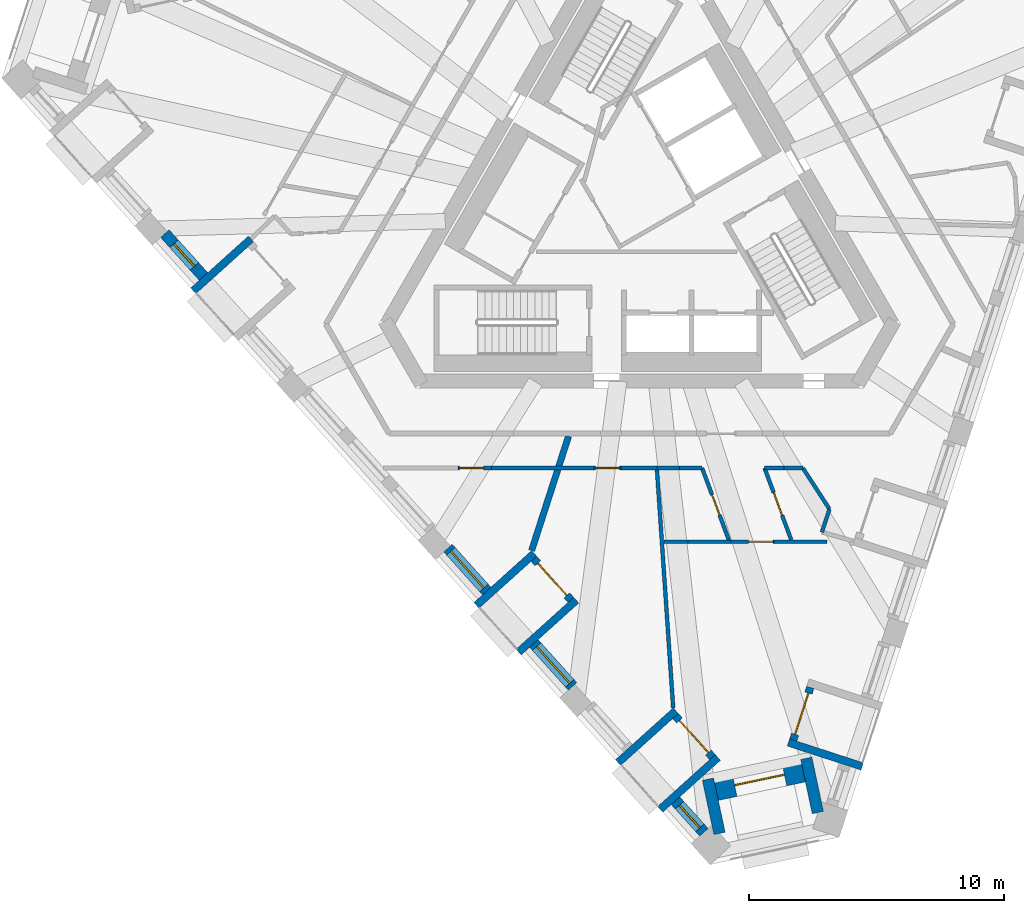
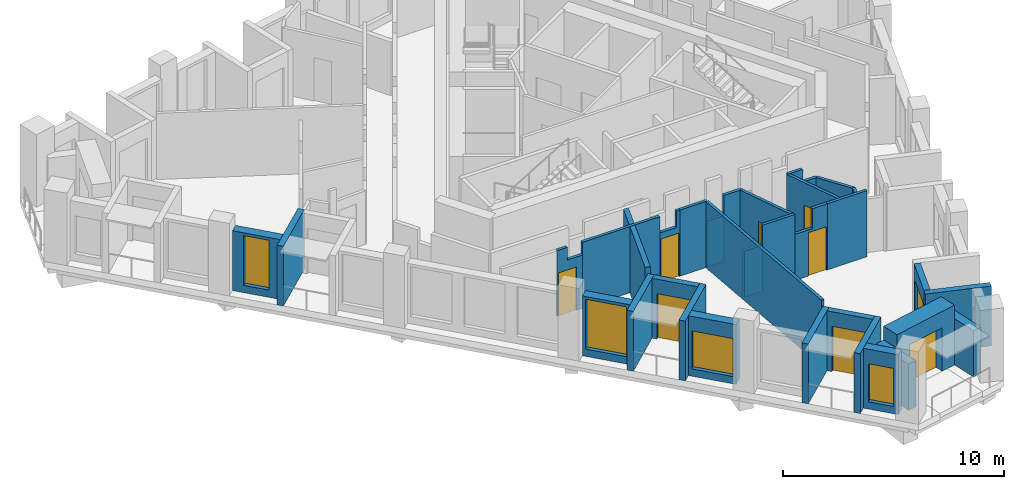
# One storey, part 2 of 12: 34 walls, 9 doors, 4 windows, 13 openings.
"""IFC4 building model written with IfcOpenShell, lengths in metres."""

import ifcopenshell
import ifcopenshell.guid

model = None  # the IFC model being written
_history = None  # IfcOwnerHistory: only IFC2X3 demands one
_inside = {}  # id of a spatial element -> (the spatial element, [elements in it])
_under = {}  # id of a project, library or spatial element -> (it, [spatial elements below it])
_declared = {}  # id of a project -> (the project, [libraries it declares])
_typed = {}  # id of a type object -> (the type object, [elements of that type])
_made_of = {}  # id of a material, layer set ... -> (it, [elements and type objects made of it])


def new_model(schema):
    """Start an empty IFC model of exactly this schema.

    Asked for "IFC4X3", IfcOpenShell would pick the latest addendum, in which some entities
    have other attributes; the version numbers below select the first issue.
    IFC2X3 requires an IfcOwnerHistory on every rooted entity: one is made here for all.
    """
    global model, _history
    if schema == "IFC4X3":
        model = ifcopenshell.file(schema_version=(4, 3, 0, 0))
    else:
        model = ifcopenshell.file(schema=schema)
    _inside.clear()
    _under.clear()
    _declared.clear()
    _typed.clear()
    _made_of.clear()
    _history = None
    if model.schema == "IFC2X3":
        org = make("IfcOrganization", Name="unknown")
        user = make(
            "IfcPersonAndOrganization",
            ThePerson=make("IfcPerson", FamilyName="unknown"),
            TheOrganization=org,
        )
        app = make(
            "IfcApplication",
            ApplicationDeveloper=org,
            Version="unknown",
            ApplicationFullName="unknown",
            ApplicationIdentifier="unknown",
        )
        _history = make(
            "IfcOwnerHistory",
            OwningUser=user,
            OwningApplication=app,
            ChangeAction="ADDED",
            CreationDate=0,
        )
    return model


def make(cls, **values):
    """One entity of the class cls with the attributes given. An attribute that is None is left unset."""
    return model.create_entity(
        cls, **{name: value for name, value in values.items() if value is not None}
    )


def rooted(cls, **values):
    """An entity with a GlobalId (a new one), such as an element, a storey or a relation."""
    return make(cls, GlobalId=ifcopenshell.guid.new(), OwnerHistory=_history, **values)


def si_unit(unit_type, name, prefix=None):
    """IfcSIUnit, for example si_unit("LENGTHUNIT", "METRE", prefix="MILLI")."""
    return make("IfcSIUnit", UnitType=unit_type, Prefix=prefix, Name=name)


def assignment(units):
    """IfcUnitAssignment: the units of a project."""
    return None if units is None else make("IfcUnitAssignment", Units=units)


def point(xyz):
    """IfcCartesianPoint."""
    return None if xyz is None else make("IfcCartesianPoint", Coordinates=xyz)


def direction(xyz):
    """IfcDirection."""
    return None if xyz is None else make("IfcDirection", DirectionRatios=xyz)


def frame(location, z_axis=None, x_axis=None):
    """IfcAxis2Placement3D, a coordinate frame: its origin and axes. An axis left out is left unset."""
    return make(
        "IfcAxis2Placement3D",
        Location=point(location),
        Axis=direction(z_axis),
        RefDirection=direction(x_axis),
    )


def frame_2d(location, x_axis=None):
    """IfcAxis2Placement2D, a coordinate frame in the plane: its origin and x axis."""
    return make(
        "IfcAxis2Placement2D", Location=point(location), RefDirection=direction(x_axis)
    )


def origin():
    """The frame at (0, 0, 0) with its axes left unset."""
    return frame((0.0, 0.0, 0.0))


def place(relative_to, where):
    """IfcLocalPlacement: puts the frame where relative to a parent placement (None: the world)."""
    return make(
        "IfcLocalPlacement", PlacementRelTo=relative_to, RelativePlacement=where
    )


def context(
    kind, dimensions, precision=None, world=None, true_north=None, identifier=None
):
    """IfcGeometricRepresentationContext, for example the 3D "Model" context."""
    return make(
        "IfcGeometricRepresentationContext",
        ContextIdentifier=identifier,
        ContextType=kind,
        CoordinateSpaceDimension=dimensions,
        Precision=precision,
        WorldCoordinateSystem=world,
        TrueNorth=true_north,
    )


def subcontext(parent, identifier, kind, view, scale=None):
    """IfcGeometricRepresentationSubContext, for example "Body" below "Model"."""
    return make(
        "IfcGeometricRepresentationSubContext",
        ContextIdentifier=identifier,
        ContextType=kind,
        ParentContext=parent,
        TargetScale=scale,
        TargetView=view,
    )


def project(units=None, contexts=None):
    """IfcProject with its units and contexts."""
    return rooted(
        "IfcProject",
        Name="project",
        RepresentationContexts=contexts,
        UnitsInContext=assignment(units),
    )


def spatial(cls, under=None, at=None, **own):
    """A site, building, storey or space (cls), placed at a placement, below another one or the project."""
    s = rooted(cls, ObjectPlacement=at, **own)
    if under is not None:
        _under.setdefault(under.id(), (under, []))[1].append(s)
    return s


def polyline(points):
    """IfcPolyline through the points."""
    return make("IfcPolyline", Points=[point(p) for p in points])


def profile(cls, at=None, kind="AREA", **sizes):
    """A parametric profile (cls). Its sizes go by their IFC names, for example OverallWidth=200.0."""
    return make(cls, ProfileType=kind, Position=at, **sizes)


def rectangle(**sizes):
    """IfcRectangleProfileDef."""
    return profile("IfcRectangleProfileDef", **sizes)


def outline(outer, holes=None, kind="AREA"):
    """IfcArbitraryClosedProfileDef: a profile drawn as a closed curve; with holes, ...WithVoids."""
    if holes is None:
        return make("IfcArbitraryClosedProfileDef", ProfileType=kind, OuterCurve=outer)
    return make(
        "IfcArbitraryProfileDefWithVoids",
        ProfileType=kind,
        OuterCurve=outer,
        InnerCurves=holes,
    )


def extrude(swept, where, along, depth):
    """IfcExtrudedAreaSolid: the profile swept, set in the frame where, extruded along a direction by depth."""
    return make(
        "IfcExtrudedAreaSolid",
        SweptArea=swept,
        Position=where,
        ExtrudedDirection=direction(along),
        Depth=depth,
    )


def shape(context_of_items, identifier, shape_type, items):
    """IfcShapeRepresentation: the items that make up one representation, for example the "Body"."""
    return make(
        "IfcShapeRepresentation",
        ContextOfItems=context_of_items,
        RepresentationIdentifier=identifier,
        RepresentationType=shape_type,
        Items=items,
    )


def material(Name=None, Category=None):
    """IfcMaterial."""
    return make("IfcMaterial", Name=Name, Category=Category)


def layer(
    of_material, thickness, ventilated=None, Name=None, Category=None, Priority=None
):
    """IfcMaterialLayer: one layer of a wall or slab, of a material (None: an air gap)."""
    return make(
        "IfcMaterialLayer",
        Material=of_material,
        LayerThickness=thickness,
        IsVentilated=ventilated,
        Name=Name,
        Category=Category,
        Priority=Priority,
    )


def layer_set(layers, Name=None):
    """IfcMaterialLayerSet."""
    return make("IfcMaterialLayerSet", MaterialLayers=layers, LayerSetName=Name)


def made_of(thing, what):
    """Note that an element or type object is made of a material, layer set ...; save() writes the relation."""
    if what is not None:
        _made_of.setdefault(what.id(), (what, []))[1].append(thing)
    return thing


def type_object(cls, material=None, **own):
    """A type object (cls), such as IfcWallType, which elements share."""
    return made_of(rooted(cls, **own), material)


def element(
    cls,
    number,
    at=None,
    inside=None,
    cuts=None,
    type_object=None,
    material=None,
    context=None,
    identifier="Body",
    shape_type=None,
    held_by="IfcProductDefinitionShape",
    body=None,
    shapes=None,
    **own,
):
    """One element of the class cls, such as IfcWall. Its Tag is "e" and its number.

    at: its placement. inside: the storey or other place that contains it. cuts: it is an
    opening in that element (IfcRelVoidsElement). A single representation is given by context,
    identifier, shape_type and body (its items); several are given by shapes. held_by: the class
    of the entity that holds the representations. save() writes the other relations.
    """
    e = rooted(cls, Tag="e%d" % number, ObjectPlacement=at, **own)
    if body is not None:
        shapes = [shape(context, identifier, shape_type, body)]
    if shapes is not None:
        e.Representation = make(held_by, Representations=shapes)
    if inside is not None:
        _inside.setdefault(inside.id(), (inside, []))[1].append(e)
    if cuts is not None:
        rooted(
            "IfcRelVoidsElement", RelatingBuildingElement=cuts, RelatedOpeningElement=e
        )
    if type_object is not None:
        _typed.setdefault(type_object.id(), (type_object, []))[1].append(e)
    return made_of(e, material)


def fill(opening, filler):
    """IfcRelFillsElement: the door or window that sits in an opening."""
    return rooted(
        "IfcRelFillsElement",
        RelatingOpeningElement=opening,
        RelatedBuildingElement=filler,
    )


def aggregate(whole, parts):
    """IfcRelAggregates: a whole, such as a stair, and the parts it consists of."""
    return rooted("IfcRelAggregates", RelatingObject=whole, RelatedObjects=parts)


def save(model, path):
    """Write the relations noted so far, then the file.

    IfcRelAggregates (storeys below a building ...), IfcRelContainedInSpatialStructure (elements
    in a storey), IfcRelDefinesByType, IfcRelAssociatesMaterial and IfcRelDeclares: one each for
    every whole, place, type object, material and project.
    """
    for whole, parts in _under.values():
        aggregate(whole, parts)
    for where, things in _inside.values():
        rooted(
            "IfcRelContainedInSpatialStructure",
            RelatedElements=things,
            RelatingStructure=where,
        )
    for kind, things in _typed.values():
        rooted("IfcRelDefinesByType", RelatedObjects=things, RelatingType=kind)
    for what, things in _made_of.values():
        rooted("IfcRelAssociatesMaterial", RelatedObjects=things, RelatingMaterial=what)
    for by, libraries in _declared.values():
        rooted("IfcRelDeclares", RelatingContext=by, RelatedDefinitions=libraries)
    model.write(path)


model = new_model("IFC4")

# Units and contexts
model_context = context("Model", 3, precision=1e-05, world=origin(), true_north=direction((0.0, 1.0)))
body_context = subcontext(model_context, "Body", "Model", "MODEL_VIEW")
ifc_project = project(units=[si_unit("LENGTHUNIT", "METRE"), si_unit("AREAUNIT", "SQUARE_METRE"), si_unit("VOLUMEUNIT", "CUBIC_METRE"), si_unit("PLANEANGLEUNIT", "RADIAN"), si_unit("MASSUNIT", "GRAM", prefix="KILO")], contexts=[model_context])

# Site, building, storey
site_placement = place(None, origin())
site = spatial("IfcSite", under=ifc_project, at=site_placement, CompositionType="ELEMENT")
building_placement = place(site_placement, origin())
building = spatial("IfcBuilding", under=site, at=building_placement, Name="Tramontana Tower", CompositionType="ELEMENT")
storey_placement = place(building_placement, frame((0.0, 0.0, 332.39990234375)))
storey = spatial("IfcBuildingStorey", under=building, at=storey_placement, Name="L76", CompositionType="ELEMENT", Elevation=332.39990234375)

# Wall, opening, window
ifc_material_1 = material(Name="Precast concrete 60 MPa", Category="concrete")
ifc_layer_1 = layer(ifc_material_1, 0.449951171875)
ifc_layer_set_1 = layer_set([ifc_layer_1], Name="Precast concrete 60 MPa, 450 mm")
wall_type_1 = type_object("IfcWallType", Name="EW1 Stone-faced precast wall 450", PredefinedType="SOLIDWALL", material=ifc_layer_set_1)
wall_1_placement = place(storey_placement, frame((-18.655517578125, -0.689208984375, 0.0), z_axis=(0.0, 0.0, 1.0), x_axis=(0.669107243666, -0.743165860676, 0.0)))
wall_1 = element("IfcWall", 1, at=wall_1_placement, inside=storey, type_object=wall_type_1, Name="External wall L76 face 0 bay 2", PredefinedType="SOLIDWALL", context=body_context, shape_type="SweptSolid", body=[
    extrude(rectangle(XDim=2.271240234375, YDim=0.449951171875, at=frame_2d((1.1357421875, 0.0))), origin(), (0.0, 0.0, 1.0), 3.300048828125),
])
opening_1_placement = place(wall_1_placement, frame((0.53564453125, 0.0, 0.39990234375)))
opening_1 = element("IfcOpeningElement", 2, at=opening_1_placement, cuts=wall_1, Name="Opening N3", PredefinedType="OPENING", context=body_context, shape_type="SweptSolid", body=[
    extrude(rectangle(XDim=1.199951171875, YDim=2.75, at=frame_2d((0.60009765625, 1.375))), frame((0.0, 0.23486328125, 0.0), z_axis=(0.0, -1.0, 0.0), x_axis=(1.0, 0.0, 0.0)), (0.0, 0.0, 1.0), 0.469970703125),
])
ifc_material_2 = material(Name="Aluminum frame, double glazing unit", Category="aluminium")
window_type_1 = type_object("IfcWindowType", Name="N3 Window 1.2 x 2.75", PartitioningType="SINGLE_PANEL", PredefinedType="WINDOW", material=ifc_material_2)
window_1_placement = place(opening_1_placement, origin())
window_1 = element("IfcWindow", 3, at=window_1_placement, inside=storey, type_object=window_type_1, Name="Window N3 L76 face 0 module 4", OverallHeight=2.75, OverallWidth=1.199951171875, PartitioningType="SINGLE_PANEL", PredefinedType="WINDOW", context=body_context, shape_type="SweptSolid", body=[
    extrude(rectangle(XDim=1.199951171875, YDim=2.75, at=frame_2d((0.60009765625, 1.375))), frame((0.0, 0.030029296875, 0.0), z_axis=(0.0, -1.0, 0.0), x_axis=(1.0, 0.0, 0.0)), (0.0, 0.0, 1.0), 0.06005859375),
])
fill(opening_1, window_1)

wall_2_placement = place(storey_placement, frame((-7.529541015625, -13.046142578125, 0.0), z_axis=(0.0, 0.0, 1.0), x_axis=(0.669160694992, -0.743117732447, 0.0)))
wall_2 = element("IfcWall", 4, at=wall_2_placement, inside=storey, type_object=wall_type_1, Name="External wall L76 face 0 bay 4", PredefinedType="SOLIDWALL", context=body_context, shape_type="SweptSolid", body=[
    extrude(rectangle(XDim=2.271240234375, YDim=0.449951171875, at=frame_2d((1.1357421875, 0.0))), origin(), (0.0, 0.0, 1.0), 3.300048828125),
])
opening_2_placement = place(wall_2_placement, frame((0.16064453125, 0.0, 0.39990234375)))
opening_2 = element("IfcOpeningElement", 5, at=opening_2_placement, cuts=wall_2, Name="Opening M3", PredefinedType="OPENING", context=body_context, shape_type="SweptSolid", body=[
    extrude(rectangle(XDim=1.949951171875, YDim=2.75, at=frame_2d((0.97509765625, 1.375))), frame((0.0, 0.23486328125, 0.0), z_axis=(0.0, -1.0, 0.0), x_axis=(1.0, 0.0, 0.0)), (0.0, 0.0, 1.0), 0.469970703125),
])
ifc_material_3 = material(Name="Aluminum frame, double glazing unit", Category="aluminium")
window_type_2 = type_object("IfcWindowType", Name="M3 Window 1.95 x 2.75", PartitioningType="SINGLE_PANEL", PredefinedType="WINDOW", material=ifc_material_3)
window_2_placement = place(opening_2_placement, origin())
window_2 = element("IfcWindow", 6, at=window_2_placement, inside=storey, type_object=window_type_2, Name="Window M3 L76 face 0 module 10", OverallHeight=2.75, OverallWidth=1.949951171875, PartitioningType="SINGLE_PANEL", PredefinedType="WINDOW", context=body_context, shape_type="SweptSolid", body=[
    extrude(rectangle(XDim=1.949951171875, YDim=2.75, at=frame_2d((0.97509765625, 1.375))), frame((0.0, 0.030029296875, 0.0), z_axis=(0.0, -1.0, 0.0), x_axis=(1.0, 0.0, 0.0)), (0.0, 0.0, 1.0), 0.06005859375),
])
fill(opening_2, window_2)

wall_3_placement = place(storey_placement, frame((-4.1552734375, -16.79345703125, 0.0), z_axis=(0.0, 0.0, 1.0), x_axis=(0.669160694992, -0.743117732447, 0.0)))
wall_3 = element("IfcWall", 7, at=wall_3_placement, inside=storey, type_object=wall_type_1, Name="External wall L76 face 0 bay 4", PredefinedType="SOLIDWALL", context=body_context, shape_type="SweptSolid", body=[
    extrude(rectangle(XDim=2.271240234375, YDim=0.449951171875, at=frame_2d((1.1357421875, 0.0))), origin(), (0.0, 0.0, 1.0), 3.300048828125),
])
opening_3_placement = place(wall_3_placement, frame((0.16064453125, 0.0, 0.39990234375)))
opening_3 = element("IfcOpeningElement", 8, at=opening_3_placement, cuts=wall_3, Name="Opening M3L", PredefinedType="OPENING", context=body_context, shape_type="SweptSolid", body=[
    extrude(rectangle(XDim=1.949951171875, YDim=2.10009765625, at=frame_2d((0.97509765625, 1.050048828125))), frame((0.0, 0.23486328125, 0.0), z_axis=(0.0, -1.0, 0.0), x_axis=(1.0, 0.0, 0.0)), (0.0, 0.0, 1.0), 0.469970703125),
])
ifc_material_4 = material(Name="Aluminum frame, double glazing unit", Category="aluminium")
window_type_3 = type_object("IfcWindowType", Name="M3L Window 1.95 x 2.1", PartitioningType="SINGLE_PANEL", PredefinedType="WINDOW", material=ifc_material_4)
window_3_placement = place(opening_3_placement, origin())
window_3 = element("IfcWindow", 9, at=window_3_placement, inside=storey, type_object=window_type_3, Name="Window M3L L76 face 0 module 12", OverallHeight=2.10009765625, OverallWidth=1.949951171875, PartitioningType="SINGLE_PANEL", PredefinedType="WINDOW", context=body_context, shape_type="SweptSolid", body=[
    extrude(rectangle(XDim=1.949951171875, YDim=2.10009765625, at=frame_2d((0.97509765625, 1.050048828125))), frame((0.0, 0.030029296875, 0.0), z_axis=(0.0, -1.0, 0.0), x_axis=(1.0, 0.0, 0.0)), (0.0, 0.0, 1.0), 0.06005859375),
])
fill(opening_3, window_3)

wall_4_placement = place(storey_placement, frame((1.40771484375, -22.971923828125, 0.0), z_axis=(0.0, 0.0, 1.0), x_axis=(0.669182609054, -0.743097998746, 0.0)))
wall_4 = element("IfcWall", 10, at=wall_4_placement, inside=storey, type_object=wall_type_1, Name="External wall L76 face 0 bay 5", PredefinedType="SOLIDWALL", context=body_context, shape_type="SweptSolid", body=[
    extrude(rectangle(XDim=1.67138671875, YDim=0.449951171875, at=frame_2d((0.835693359375, 0.0))), origin(), (0.0, 0.0, 1.0), 3.300048828125),
])
opening_4_placement = place(wall_4_placement, frame((0.235595703125, 0.0, 0.39990234375)))
opening_4 = element("IfcOpeningElement", 11, at=opening_4_placement, cuts=wall_4, Name="Opening N3L", PredefinedType="OPENING", context=body_context, shape_type="SweptSolid", body=[
    extrude(rectangle(XDim=1.199951171875, YDim=2.10009765625, at=frame_2d((0.60009765625, 1.050048828125))), frame((0.0, 0.23486328125, 0.0), z_axis=(0.0, -1.0, 0.0), x_axis=(1.0, 0.0, 0.0)), (0.0, 0.0, 1.0), 0.469970703125),
])
ifc_material_5 = material(Name="Aluminum frame, double glazing unit", Category="aluminium")
window_type_4 = type_object("IfcWindowType", Name="N3L Window 1.2 x 2.1", PartitioningType="SINGLE_PANEL", PredefinedType="WINDOW", material=ifc_material_5)
window_4_placement = place(opening_4_placement, origin())
window_4 = element("IfcWindow", 12, at=window_4_placement, inside=storey, type_object=window_type_4, Name="Window N3L L76 face 0 module 15", OverallHeight=2.10009765625, OverallWidth=1.199951171875, PartitioningType="SINGLE_PANEL", PredefinedType="WINDOW", context=body_context, shape_type="SweptSolid", body=[
    extrude(rectangle(XDim=1.199951171875, YDim=2.10009765625, at=frame_2d((0.60009765625, 1.050048828125))), frame((0.0, 0.030029296875, 0.0), z_axis=(0.0, -1.0, 0.0), x_axis=(1.0, 0.0, 0.0)), (0.0, 0.0, 1.0), 0.06005859375),
])
fill(opening_4, window_4)

# Walls
for number, where, z_axis, x_axis, name in (
    (13, (7.00048828125, -23.435791015625, 0.0), (0.0, 0.0, 1.0), (-0.207929769172, 0.978143757886, 0.0), "Corner loggia side wall L76 K81l"),
    (14, (3.136962890625, -24.257080078125, 0.0), (0.0, 0.0, 1.0), (-0.207929769172, 0.978143757886, 0.0), "Corner loggia side wall L76 K81r"),
):
    element("IfcWall", number, at=place(storey_placement, frame(where, z_axis=z_axis, x_axis=x_axis)), inside=storey, type_object=wall_type_1, Name=name, PredefinedType="SOLIDWALL", context=body_context, shape_type="SweptSolid", body=[
        extrude(rectangle(XDim=2.17919921875, YDim=0.449951171875, at=frame_2d((1.089599609375, 0.0))), origin(), (0.0, 0.0, 1.0), 2.550048828125),
    ])

# Wall, opening, door
ifc_material_6 = material(Name="Precast concrete 60 MPa", Category="concrete")
ifc_layer_2 = layer(ifc_material_6, 0.89990234375)
ifc_layer_set_2 = layer_set([ifc_layer_2], Name="EW2 Stone-faced corner loggia wall 900")
wall_type_2 = type_object("IfcWallType", Name="EW2 Stone-faced corner loggia wall 900", PredefinedType="SOLIDWALL", material=ifc_layer_set_2)
wall_5_placement = place(storey_placement, frame((6.4208984375, -21.791259765625, 0.0), z_axis=(0.0, 0.0, 1.0), x_axis=(-0.978154241128, -0.207880447765, 0.0)))
wall_5 = element("IfcWall", 15, at=wall_5_placement, inside=storey, type_object=wall_type_2, Name="Corner loggia wall L76 K81", PredefinedType="SOLIDWALL", context=body_context, shape_type="SweptSolid", body=[
    extrude(rectangle(XDim=3.499755859375, YDim=0.89990234375, at=frame_2d((1.75, 0.0))), origin(), (0.0, 0.0, 1.0), 3.300048828125),
])
opening_5_placement = place(wall_5_placement, frame((0.75, 0.0, 0.0)))
opening_5 = element("IfcOpeningElement", 16, at=opening_5_placement, cuts=wall_5, Name="Opening BD-81C", PredefinedType="OPENING", context=body_context, shape_type="SweptSolid", body=[
    extrude(rectangle(XDim=2.0, YDim=2.39990234375, at=frame_2d((1.0, 1.199951171875))), frame((0.0, 0.4599609375, 0.0), z_axis=(0.0, -1.0, 0.0), x_axis=(1.0, 0.0, 0.0)), (0.0, 0.0, 1.0), 0.919921875),
])
ifc_material_7 = material(Name="Aluminum frame, double glazing unit", Category="aluminium")
door_type_1 = type_object("IfcDoorType", Name="BC1 Sliding door 2 x 2.4", OperationType="SLIDING_TO_LEFT", PredefinedType="DOOR", material=ifc_material_7)
door_1_placement = place(opening_5_placement, origin())
door_1 = element("IfcDoor", 17, at=door_1_placement, inside=storey, type_object=door_type_1, Name="Corner loggia door L76 K81", OperationType="SLIDING_TO_LEFT", OverallHeight=2.39990234375, OverallWidth=2.0, PredefinedType="DOOR", context=body_context, shape_type="SweptSolid", body=[
    extrude(rectangle(XDim=2.0, YDim=2.39990234375, at=frame_2d((1.0, 1.199951171875))), frame((0.0, 0.02490234375, 0.0), z_axis=(0.0, -1.0, 0.0), x_axis=(1.0, 0.0, 0.0)), (0.0, 0.0, 1.0), 0.050048828125),
])
fill(opening_5, door_1)

# Wall
ifc_material_8 = material(Name="Precast concrete 60 MPa", Category="concrete")
ifc_layer_3 = layer(ifc_material_8, 0.300048828125)
ifc_layer_set_3 = layer_set([ifc_layer_3], Name="LW1 Stone-faced loggia wall 300")
wall_type_3 = type_object("IfcWallType", Name="LW1 Stone-faced loggia wall 300", PredefinedType="SOLIDWALL", material=ifc_layer_set_3)
wall_6_placement = place(storey_placement, frame((-17.537109375, -2.9404296875, 0.0), z_axis=(0.0, 0.0, 1.0), x_axis=(0.743118999127, 0.669159288314, 0.0)))
element("IfcWall", 18, at=wall_6_placement, inside=storey, type_object=wall_type_3, Name="Loggia return L76 G8S0.4a", PredefinedType="SOLIDWALL", context=body_context, shape_type="SweptSolid", body=[
    extrude(rectangle(XDim=3.050048828125, YDim=0.300048828125, at=frame_2d((1.52490234375, 0.0))), origin(), (0.0, 0.0, 1.0), 3.300048828125),
])

# Wall, opening, door
wall_7_placement = place(storey_placement, frame((-4.155517578125, -13.468017578125, 0.0), z_axis=(0.0, 0.0, 1.0), x_axis=(0.669144868344, -0.743131983681, 0.0)))
wall_7 = element("IfcWall", 19, at=wall_7_placement, inside=storey, type_object=wall_type_3, Name="Loggia wall L76 G8S0.10", PredefinedType="SOLIDWALL", context=body_context, shape_type="SweptSolid", body=[
    extrude(rectangle(XDim=2.171142578125, YDim=0.300048828125, at=frame_2d((1.08544921875, 0.0))), origin(), (0.0, 0.0, 1.0), 3.300048828125),
])
opening_6_placement = place(wall_7_placement, frame((0.235595703125, 0.0, 0.0)))
opening_6 = element("IfcOpeningElement", 20, at=opening_6_placement, cuts=wall_7, Name="Opening BD-8S0-10", PredefinedType="OPENING", context=body_context, shape_type="SweptSolid", body=[
    extrude(rectangle(XDim=1.699951171875, YDim=2.5, at=frame_2d((0.85009765625, 1.25))), frame((0.0, 0.159912109375, 0.0), z_axis=(0.0, -1.0, 0.0), x_axis=(1.0, 0.0, 0.0)), (0.0, 0.0, 1.0), 0.320068359375),
])
ifc_material_9 = material(Name="Aluminum frame, double glazing unit", Category="aluminium")
door_type_2 = type_object("IfcDoorType", Name="BD3 Sliding door 1.7 x 2.5", OperationType="SLIDING_TO_LEFT", PredefinedType="DOOR", material=ifc_material_9)
door_2_placement = place(opening_6_placement, origin())
door_2 = element("IfcDoor", 21, at=door_2_placement, inside=storey, type_object=door_type_2, Name="Loggia door L76 G8S0.10", OperationType="SLIDING_TO_LEFT", OverallHeight=2.5, OverallWidth=1.699951171875, PredefinedType="DOOR", context=body_context, shape_type="SweptSolid", body=[
    extrude(rectangle(XDim=1.699951171875, YDim=2.5, at=frame_2d((0.85009765625, 1.25))), frame((0.0, 0.02490234375, 0.0), z_axis=(0.0, -1.0, 0.0), x_axis=(1.0, 0.0, 0.0)), (0.0, 0.0, 1.0), 0.050048828125),
])
fill(opening_6, door_2)

# Walls
for number, where, z_axis, x_axis, name in (
    (22, (-6.410888671875, -15.297119140625, 0.0), (0.0, 0.0, 1.0), (0.743158802514, 0.669115082961, 0.0), "Loggia return L76 G8S0.10a"),
    (23, (-4.75732421875, -17.133544921875, 0.0), (0.0, 0.0, 1.0), (0.743158802514, 0.669115082961, 0.0), "Loggia return L76 G8S0.10b"),
):
    element("IfcWall", number, at=place(storey_placement, frame(where, z_axis=z_axis, x_axis=x_axis)), inside=storey, type_object=wall_type_3, Name=name, PredefinedType="SOLIDWALL", context=body_context, shape_type="SweptSolid", body=[
        extrude(rectangle(XDim=3.050048828125, YDim=0.300048828125, at=frame_2d((1.52490234375, 0.0))), origin(), (0.0, 0.0, 1.0), 3.300048828125),
    ])

# Wall, opening, door
wall_8_placement = place(storey_placement, frame((1.40771484375, -19.646484375, 0.0), z_axis=(0.0, 0.0, 1.0), x_axis=(0.669144868344, -0.743131983681, 0.0)))
wall_8 = element("IfcWall", 24, at=wall_8_placement, inside=storey, type_object=wall_type_3, Name="Loggia wall L76 G8S0.13", PredefinedType="SOLIDWALL", context=body_context, shape_type="SweptSolid", body=[
    extrude(rectangle(XDim=2.171142578125, YDim=0.300048828125, at=frame_2d((1.08544921875, 0.0))), origin(), (0.0, 0.0, 1.0), 3.300048828125),
])
opening_7_placement = place(wall_8_placement, frame((0.235595703125, 0.0, 0.0)))
opening_7 = element("IfcOpeningElement", 25, at=opening_7_placement, cuts=wall_8, Name="Opening BD-8S0-13", PredefinedType="OPENING", context=body_context, shape_type="SweptSolid", body=[
    extrude(rectangle(XDim=1.699951171875, YDim=2.5, at=frame_2d((0.85009765625, 1.25))), frame((0.0, 0.159912109375, 0.0), z_axis=(0.0, -1.0, 0.0), x_axis=(1.0, 0.0, 0.0)), (0.0, 0.0, 1.0), 0.320068359375),
])
door_3_placement = place(opening_7_placement, origin())
door_3 = element("IfcDoor", 26, at=door_3_placement, inside=storey, type_object=door_type_2, Name="Loggia door L76 G8S0.13", OperationType="SLIDING_TO_LEFT", OverallHeight=2.5, OverallWidth=1.699951171875, PredefinedType="DOOR", context=body_context, shape_type="SweptSolid", body=[
    extrude(rectangle(XDim=1.699951171875, YDim=2.5, at=frame_2d((0.85009765625, 1.25))), frame((0.0, 0.02490234375, 0.0), z_axis=(0.0, -1.0, 0.0), x_axis=(1.0, 0.0, 0.0)), (0.0, 0.0, 1.0), 0.050048828125),
])
fill(opening_7, door_3)

# Walls
for number, where, z_axis, x_axis, name in (
    (27, (-0.847900390625, -21.4755859375, 0.0), (0.0, 0.0, 1.0), (0.743118999127, 0.669159288314, 0.0), "Loggia return L76 G8S0.13a"),
    (28, (0.8056640625, -23.31201171875, 0.0), (0.0, 0.0, 1.0), (0.743158802514, 0.669115082961, 0.0), "Loggia return L76 G8S0.13b"),
):
    element("IfcWall", number, at=place(storey_placement, frame(where, z_axis=z_axis, x_axis=x_axis)), inside=storey, type_object=wall_type_3, Name=name, PredefinedType="SOLIDWALL", context=body_context, shape_type="SweptSolid", body=[
        extrude(rectangle(XDim=3.050048828125, YDim=0.300048828125, at=frame_2d((1.52490234375, 0.0))), origin(), (0.0, 0.0, 1.0), 3.300048828125),
    ])

# Wall, opening, door
wall_9_placement = place(storey_placement, frame((6.0341796875, -20.58544921875, 0.0), z_axis=(0.0, 0.0, 1.0), x_axis=(0.308999623589, 0.95106216023, 0.0)))
wall_9 = element("IfcWall", 29, at=wall_9_placement, inside=storey, type_object=wall_type_3, Name="Loggia wall L76 G8S1.1", PredefinedType="SOLIDWALL", context=body_context, shape_type="SweptSolid", body=[
    extrude(rectangle(XDim=2.171142578125, YDim=0.300048828125, at=frame_2d((1.08544921875, 0.0))), origin(), (0.0, 0.0, 1.0), 3.300048828125),
])
opening_8_placement = place(wall_9_placement, frame((0.235595703125, 0.0, 0.0)))
opening_8 = element("IfcOpeningElement", 30, at=opening_8_placement, cuts=wall_9, Name="Opening BD-8S1-01", PredefinedType="OPENING", context=body_context, shape_type="SweptSolid", body=[
    extrude(rectangle(XDim=1.699951171875, YDim=2.5, at=frame_2d((0.85009765625, 1.25))), frame((0.0, 0.159912109375, 0.0), z_axis=(0.0, -1.0, 0.0), x_axis=(1.0, 0.0, 0.0)), (0.0, 0.0, 1.0), 0.320068359375),
])
door_4_placement = place(opening_8_placement, origin())
door_4 = element("IfcDoor", 31, at=door_4_placement, inside=storey, type_object=door_type_2, Name="Loggia door L76 G8S1.1", OperationType="SLIDING_TO_LEFT", OverallHeight=2.5, OverallWidth=1.699951171875, PredefinedType="DOOR", context=body_context, shape_type="SweptSolid", body=[
    extrude(rectangle(XDim=1.699951171875, YDim=2.5, at=frame_2d((0.85009765625, 1.25))), frame((0.0, 0.02490234375, 0.0), z_axis=(0.0, -1.0, 0.0), x_axis=(1.0, 0.0, 0.0)), (0.0, 0.0, 1.0), 0.050048828125),
])
fill(opening_8, door_4)

# Walls
wall_10_placement = place(storey_placement, frame((8.745849609375, -21.624267578125, 0.0), z_axis=(0.0, 0.0, 1.0), x_axis=(-0.951072883748, 0.308966615996, 0.0)))
element("IfcWall", 32, at=wall_10_placement, inside=storey, type_object=wall_type_3, Name="Loggia return L76 G8S1.1a", PredefinedType="SOLIDWALL", context=body_context, shape_type="SweptSolid", body=[
    extrude(rectangle(XDim=3.050048828125, YDim=0.300048828125, at=frame_2d((1.52490234375, 0.0))), origin(), (0.0, 0.0, 1.0), 3.300048828125),
])
ifc_material_10 = material(Name="Gypsum board partition")
ifc_layer_4 = layer(ifc_material_10, 0.14990234375)
ifc_layer_set_4 = layer_set([ifc_layer_4], Name="PARTITION 150")
wall_type_4 = type_object("IfcWallType", Name="PARTITION 150", PredefinedType="PARTITIONING", material=ifc_layer_set_4)
wall_11_placement = place(storey_placement, frame((1.318359375, -19.322998046875, 0.0), z_axis=(0.0, 0.0, 1.0), x_axis=(-0.068059844865, 0.997681240436, 0.0)))
element("IfcWall", 33, at=wall_11_placement, inside=storey, type_object=wall_type_4, Name="Wall v81-pw12", PredefinedType="PARTITIONING", context=body_context, shape_type="SweptSolid", body=[
    extrude(rectangle(XDim=9.36962890625, YDim=0.14990234375, at=frame_2d((4.684814453125, 0.0))), origin(), (0.0, 0.0, 1.0), 3.650146484375),
])
wall_12_placement = place(storey_placement, frame((2.45166015625, -9.89990234375, 0.0), z_axis=(0.0, 0.0, 1.0), x_axis=(-1.0, 0.0, 0.0)))
element("IfcWall", 34, at=wall_12_placement, inside=storey, type_object=wall_type_4, Name="Wall v81-pw13-0", PredefinedType="PARTITIONING", context=body_context, shape_type="SweptSolid", body=[
    extrude(rectangle(XDim=0.888916015625, YDim=0.14990234375, at=frame_2d((0.4443359375, 0.0))), origin(), (0.0, 0.0, 1.0), 3.650146484375),
])
wall_13_placement = place(storey_placement, frame((1.562744140625, -9.89990234375, 0.0), z_axis=(0.0, 0.0, 1.0), x_axis=(-1.0, 0.0, 0.0)))
element("IfcWall", 35, at=wall_13_placement, inside=storey, type_object=wall_type_4, Name="Wall v81-pw13-1", PredefinedType="PARTITIONING", context=body_context, shape_type="SweptSolid", body=[
    extrude(rectangle(XDim=0.880615234375, YDim=0.14990234375, at=frame_2d((0.4404296875, 0.0))), origin(), (0.0, 0.0, 1.0), 2.550048828125),
])
wall_14_placement = place(storey_placement, frame((0.68212890625, -9.89990234375, 0.0), z_axis=(0.0, 0.0, 1.0), x_axis=(-1.0, 0.0, 0.0)))
element("IfcWall", 36, at=wall_14_placement, inside=storey, type_object=wall_type_4, Name="Wall v81-pw13-2", PredefinedType="PARTITIONING", context=body_context, shape_type="SweptSolid", body=[
    extrude(rectangle(XDim=1.416259765625, YDim=0.14990234375, at=frame_2d((0.7080078125, 0.0))), origin(), (0.0, 0.0, 1.0), 3.650146484375),
])

# Wall, opening, door
wall_15_placement = place(storey_placement, frame((-0.734130859375, -9.89990234375, 0.0), z_axis=(0.0, 0.0, 1.0), x_axis=(-1.0, 0.0, 0.0)))
wall_15 = element("IfcWall", 37, at=wall_15_placement, inside=storey, type_object=wall_type_4, Name="Wall v81-pw13-3", PredefinedType="PARTITIONING", context=body_context, shape_type="SweptSolid", body=[
    extrude(outline(polyline([(0.0, 0.0), (1.050048828125, 0.0), (1.050048828125, 2.75), (0.177734375, 2.75), (0.177734375, 3.650146484375), (0.0, 3.650146484375), (0.0, 0.0)])), frame((0.0, 0.074951171875, 0.0), z_axis=(0.0, -1.0, 0.0), x_axis=(1.0, 0.0, 0.0)), (0.0, 0.0, 1.0), 0.14990234375),
])
opening_9_placement = place(wall_15_placement, frame((0.050048828125, 0.0, 0.0)))
opening_9 = element("IfcOpeningElement", 38, at=opening_9_placement, cuts=wall_15, Name="Opening B8B-09", PredefinedType="OPENING", context=body_context, shape_type="SweptSolid", body=[
    extrude(rectangle(XDim=0.949951171875, YDim=2.39990234375, at=frame_2d((0.47509765625, 1.199951171875))), frame((0.0, 0.0849609375, 0.0), z_axis=(0.0, -1.0, 0.0), x_axis=(1.0, 0.0, 0.0)), (0.0, 0.0, 1.0), 0.169921875),
])
ifc_material_11 = material(Name="Painted timber", Category="wood")
door_type_3 = type_object("IfcDoorType", Name="DOOR ROOM 950", OperationType="SINGLE_SWING_LEFT", PredefinedType="DOOR", material=ifc_material_11)
door_5_placement = place(opening_9_placement, origin())
door_5 = element("IfcDoor", 39, at=door_5_placement, inside=storey, type_object=door_type_3, Name="Door B8B-09", OperationType="SINGLE_SWING_LEFT", OverallHeight=2.39990234375, OverallWidth=0.949951171875, PredefinedType="DOOR", context=body_context, shape_type="SweptSolid", body=[
    extrude(rectangle(XDim=0.949951171875, YDim=2.39990234375, at=frame_2d((0.47509765625, 1.199951171875))), frame((0.0, 0.02490234375, 0.0), z_axis=(0.0, -1.0, 0.0), x_axis=(1.0, 0.0, 0.0)), (0.0, 0.0, 1.0), 0.050048828125),
])
fill(opening_9, door_5)

# Wall
wall_16_placement = place(storey_placement, frame((-1.7841796875, -9.89990234375, 0.0), z_axis=(0.0, 0.0, 1.0), x_axis=(-1.0, 0.0, 0.0)))
element("IfcWall", 40, at=wall_16_placement, inside=storey, type_object=wall_type_4, Name="Wall v81-pw13-4", PredefinedType="PARTITIONING", context=body_context, shape_type="SweptSolid", body=[
    extrude(rectangle(XDim=4.029296875, YDim=0.14990234375, at=frame_2d((2.0146484375, 0.0))), origin(), (0.0, 0.0, 1.0), 3.650146484375),
])

# Wall, opening, door
wall_17_placement = place(storey_placement, frame((-5.8134765625, -9.89990234375, 0.0), z_axis=(0.0, 0.0, 1.0), x_axis=(-1.0, 0.0, 0.0)))
wall_17 = element("IfcWall", 41, at=wall_17_placement, inside=storey, type_object=wall_type_4, Name="Wall v81-pw13-5", PredefinedType="PARTITIONING", context=body_context, shape_type="SweptSolid", body=[
    extrude(outline(polyline([(0.0, 0.0), (1.319091796875, 0.0), (1.319091796875, 3.650146484375), (0.796875, 3.650146484375), (0.796875, 2.9501953125), (0.0, 2.9501953125), (0.0, 0.0)])), frame((0.0, 0.074951171875, 0.0), z_axis=(0.0, -1.0, 0.0), x_axis=(1.0, 0.0, 0.0)), (0.0, 0.0, 1.0), 0.14990234375),
])
opening_10_placement = place(wall_17_placement, frame((0.319091796875, 0.0, 0.0)))
opening_10 = element("IfcOpeningElement", 42, at=opening_10_placement, cuts=wall_17, Name="Opening B8B-04", PredefinedType="OPENING", context=body_context, shape_type="SweptSolid", body=[
    extrude(rectangle(XDim=0.949951171875, YDim=2.39990234375, at=frame_2d((0.47509765625, 1.199951171875))), frame((0.0, 0.0849609375, 0.0), z_axis=(0.0, -1.0, 0.0), x_axis=(1.0, 0.0, 0.0)), (0.0, 0.0, 1.0), 0.169921875),
])
door_6_placement = place(opening_10_placement, origin())
door_6 = element("IfcDoor", 43, at=door_6_placement, inside=storey, type_object=door_type_3, Name="Door B8B-04", OperationType="SINGLE_SWING_RIGHT", OverallHeight=2.39990234375, OverallWidth=0.949951171875, PredefinedType="DOOR", context=body_context, shape_type="SweptSolid", body=[
    extrude(rectangle(XDim=0.949951171875, YDim=2.39990234375, at=frame_2d((0.47509765625, 1.199951171875))), frame((0.0, 0.02490234375, 0.0), z_axis=(0.0, -1.0, 0.0), x_axis=(1.0, 0.0, 0.0)), (0.0, 0.0, 1.0), 0.050048828125),
])
fill(opening_10, door_6)

wall_18_placement = place(storey_placement, frame((3.530029296875, -12.797119140625, 0.0), z_axis=(0.0, 0.0, 1.0), x_axis=(-0.348428586775, 0.937335329494, 0.0)))
wall_18 = element("IfcWall", 44, at=wall_18_placement, inside=storey, type_object=wall_type_4, Name="Wall v81-pw14", PredefinedType="PARTITIONING", context=body_context, shape_type="SweptSolid", body=[
    extrude(rectangle(XDim=3.08935546875, YDim=0.14990234375, at=frame_2d((1.544677734375, 0.0))), origin(), (0.0, 0.0, 1.0), 3.650146484375),
])
opening_11_placement = place(wall_18_placement, frame((1.11962890625, 0.0, 0.0)))
opening_11 = element("IfcOpeningElement", 45, at=opening_11_placement, cuts=wall_18, Name="Opening B8B-07", PredefinedType="OPENING", context=body_context, shape_type="SweptSolid", body=[
    extrude(rectangle(XDim=0.85009765625, YDim=2.39990234375, at=frame_2d((0.425048828125, 1.199951171875))), frame((0.0, 0.0849609375, 0.0), z_axis=(0.0, -1.0, 0.0), x_axis=(1.0, 0.0, 0.0)), (0.0, 0.0, 1.0), 0.169921875),
])
ifc_material_12 = material(Name="Painted timber", Category="wood")
door_type_4 = type_object("IfcDoorType", Name="DOOR BATH 850", OperationType="SINGLE_SWING_LEFT", PredefinedType="DOOR", material=ifc_material_12)
door_7_placement = place(opening_11_placement, origin())
door_7 = element("IfcDoor", 46, at=door_7_placement, inside=storey, type_object=door_type_4, Name="Door B8B-07", OperationType="SINGLE_SWING_LEFT", OverallHeight=2.39990234375, OverallWidth=0.85009765625, PredefinedType="DOOR", context=body_context, shape_type="SweptSolid", body=[
    extrude(rectangle(XDim=0.85009765625, YDim=2.39990234375, at=frame_2d((0.425048828125, 1.199951171875))), frame((0.0, 0.02490234375, 0.0), z_axis=(0.0, -1.0, 0.0), x_axis=(1.0, 0.0, 0.0)), (0.0, 0.0, 1.0), 0.050048828125),
])
fill(opening_11, door_7)

wall_19_placement = place(storey_placement, frame((4.907958984375, -9.902587890625, 0.0), z_axis=(0.0, 0.0, 1.0), x_axis=(0.348420640425, -0.937338283293, 0.0)))
wall_19 = element("IfcWall", 47, at=wall_19_placement, inside=storey, type_object=wall_type_4, Name="Wall v81-pw15", PredefinedType="PARTITIONING", context=body_context, shape_type="SweptSolid", body=[
    extrude(rectangle(XDim=3.010986328125, YDim=0.14990234375, at=frame_2d((1.50537109375, 0.0))), origin(), (0.0, 0.0, 1.0), 3.650146484375),
])
opening_12_placement = place(wall_19_placement, frame((1.030517578125, 0.0, 0.0)))
opening_12 = element("IfcOpeningElement", 48, at=opening_12_placement, cuts=wall_19, Name="Opening B8B-06", PredefinedType="OPENING", context=body_context, shape_type="SweptSolid", body=[
    extrude(rectangle(XDim=0.949951171875, YDim=2.39990234375, at=frame_2d((0.47509765625, 1.199951171875))), frame((0.0, 0.0849609375, 0.0), z_axis=(0.0, -1.0, 0.0), x_axis=(1.0, 0.0, 0.0)), (0.0, 0.0, 1.0), 0.169921875),
])
door_8_placement = place(opening_12_placement, origin())
door_8 = element("IfcDoor", 49, at=door_8_placement, inside=storey, type_object=door_type_3, Name="Door B8B-06", OperationType="SINGLE_SWING_RIGHT", OverallHeight=2.39990234375, OverallWidth=0.949951171875, PredefinedType="DOOR", context=body_context, shape_type="SweptSolid", body=[
    extrude(rectangle(XDim=0.949951171875, YDim=2.39990234375, at=frame_2d((0.47509765625, 1.199951171875))), frame((0.0, 0.02490234375, 0.0), z_axis=(0.0, -1.0, 0.0), x_axis=(1.0, 0.0, 0.0)), (0.0, 0.0, 1.0), 0.050048828125),
])
fill(opening_12, door_8)

# Walls
wall_20_placement = place(storey_placement, frame((6.412109375, -9.89990234375, 0.0), z_axis=(0.0, 0.0, 1.0), x_axis=(-1.0, 0.0, 0.0)))
element("IfcWall", 50, at=wall_20_placement, inside=storey, type_object=wall_type_4, Name="Wall v81-pw19-0", PredefinedType="PARTITIONING", context=body_context, shape_type="SweptSolid", body=[
    extrude(rectangle(XDim=0.741943359375, YDim=0.14990234375, at=frame_2d((0.37109375, 0.0))), origin(), (0.0, 0.0, 1.0), 2.9501953125),
])
wall_21_placement = place(storey_placement, frame((5.670166015625, -9.89990234375, 0.0), z_axis=(0.0, 0.0, 1.0), x_axis=(-1.0, 0.0, 0.0)))
element("IfcWall", 51, at=wall_21_placement, inside=storey, type_object=wall_type_4, Name="Wall v81-pw19-1", PredefinedType="PARTITIONING", context=body_context, shape_type="SweptSolid", body=[
    extrude(rectangle(XDim=0.76025390625, YDim=0.14990234375, at=frame_2d((0.380126953125, 0.0))), origin(), (0.0, 0.0, 1.0), 3.650146484375),
])
wall_22_placement = place(storey_placement, frame((7.162353515625, -12.420654296875, 0.0), z_axis=(0.0, 0.0, 1.0), x_axis=(0.30908028689, 0.951035948982, 0.0)))
element("IfcWall", 52, at=wall_22_placement, inside=storey, type_object=wall_type_4, Name="Wall v81-pw22-0", PredefinedType="PARTITIONING", context=body_context, shape_type="SweptSolid", body=[
    extrude(rectangle(XDim=0.9541015625, YDim=0.14990234375, at=frame_2d((0.47705078125, 0.0))), origin(), (0.0, 0.0, 1.0), 2.9501953125),
])
wall_23_placement = place(storey_placement, frame((7.35595703125, -12.800048828125, 0.0), z_axis=(0.0, 0.0, 1.0), x_axis=(-1.0, 0.0, 0.0)))
element("IfcWall", 53, at=wall_23_placement, inside=storey, type_object=wall_type_4, Name="Wall v81-pw25-0", PredefinedType="PARTITIONING", context=body_context, shape_type="SweptSolid", body=[
    extrude(rectangle(XDim=2.073486328125, YDim=0.14990234375, at=frame_2d((1.03662109375, 0.0))), origin(), (0.0, 0.0, 1.0), 3.650146484375),
])

# Wall, opening, door
wall_24_placement = place(storey_placement, frame((5.282470703125, -12.800048828125, 0.0), z_axis=(0.0, 0.0, 1.0), x_axis=(-1.0, 0.0, 0.0)))
wall_24 = element("IfcWall", 54, at=wall_24_placement, inside=storey, type_object=wall_type_4, Name="Wall v81-pw25-1", PredefinedType="PARTITIONING", context=body_context, shape_type="SweptSolid", body=[
    extrude(outline(polyline([(0.0, 0.0), (1.69775390625, 0.0), (1.69775390625, 2.550048828125), (0.780029296875, 2.550048828125), (0.780029296875, 3.650146484375), (0.0, 3.650146484375), (0.0, 0.0)])), frame((0.0, 0.074951171875, 0.0), z_axis=(0.0, -1.0, 0.0), x_axis=(1.0, 0.0, 0.0)), (0.0, 0.0, 1.0), 0.14990234375),
])
opening_13_placement = place(wall_24_placement, frame((0.050048828125, 0.0, 0.0)))
opening_13 = element("IfcOpeningElement", 55, at=opening_13_placement, cuts=wall_24, Name="Opening B8B-08", PredefinedType="OPENING", context=body_context, shape_type="SweptSolid", body=[
    extrude(rectangle(XDim=0.949951171875, YDim=2.39990234375, at=frame_2d((0.47509765625, 1.199951171875))), frame((0.0, 0.0849609375, 0.0), z_axis=(0.0, -1.0, 0.0), x_axis=(1.0, 0.0, 0.0)), (0.0, 0.0, 1.0), 0.169921875),
])
door_9_placement = place(opening_13_placement, origin())
door_9 = element("IfcDoor", 56, at=door_9_placement, inside=storey, type_object=door_type_3, Name="Door B8B-08", OperationType="SINGLE_SWING_RIGHT", OverallHeight=2.39990234375, OverallWidth=0.949951171875, PredefinedType="DOOR", context=body_context, shape_type="SweptSolid", body=[
    extrude(rectangle(XDim=0.949951171875, YDim=2.39990234375, at=frame_2d((0.47509765625, 1.199951171875))), frame((0.0, 0.02490234375, 0.0), z_axis=(0.0, -1.0, 0.0), x_axis=(1.0, 0.0, 0.0)), (0.0, 0.0, 1.0), 0.050048828125),
])
fill(opening_13, door_9)

# Walls
wall_25_placement = place(storey_placement, frame((3.584716796875, -12.800048828125, 0.0), z_axis=(0.0, 0.0, 1.0), x_axis=(-1.0, 0.0, 0.0)))
element("IfcWall", 57, at=wall_25_placement, inside=storey, type_object=wall_type_4, Name="Wall v81-pw25-2", PredefinedType="PARTITIONING", context=body_context, shape_type="SweptSolid", body=[
    extrude(rectangle(XDim=1.693115234375, YDim=0.14990234375, at=frame_2d((0.8466796875, 0.0))), origin(), (0.0, 0.0, 1.0), 3.650146484375),
])
wall_26_placement = place(storey_placement, frame((1.8916015625, -12.800048828125, 0.0), z_axis=(0.0, 0.0, 1.0), x_axis=(-1.0, 0.0, 0.0)))
element("IfcWall", 58, at=wall_26_placement, inside=storey, type_object=wall_type_4, Name="Wall v81-pw25-3", PredefinedType="PARTITIONING", context=body_context, shape_type="SweptSolid", body=[
    extrude(rectangle(XDim=0.943115234375, YDim=0.14990234375, at=frame_2d((0.4716796875, 0.0))), origin(), (0.0, 0.0, 1.0), 2.550048828125),
])
wall_27_placement = place(storey_placement, frame((7.45703125, -11.511474609375, 0.0), z_axis=(0.0, 0.0, 1.0), x_axis=(-0.543641589551, 0.839317473969, 0.0)))
element("IfcWall", 59, at=wall_27_placement, inside=storey, type_object=wall_type_4, Name="Wall v81-pw27-0", PredefinedType="PARTITIONING", context=body_context, shape_type="SweptSolid", body=[
    extrude(rectangle(XDim=1.9189453125, YDim=0.14990234375, at=frame_2d((0.95947265625, 0.0))), origin(), (0.0, 0.0, 1.0), 2.9501953125),
])
ifc_material_13 = material(Name="Blockwork", Category="masonry")
ifc_layer_5 = layer(ifc_material_13, 0.25)
ifc_layer_set_5 = layer_set([ifc_layer_5], Name="PARTY WALL 250")
wall_type_5 = type_object("IfcWallType", Name="PARTY WALL 250", PredefinedType="SOLIDWALL", material=ifc_layer_set_5)
wall_28_placement = place(storey_placement, frame((-2.793212890625, -8.650146484375, 0.0), z_axis=(0.0, 0.0, 1.0), x_axis=(-0.307297266893, -0.951613571656, 0.0)))
element("IfcWall", 60, at=wall_28_placement, inside=storey, type_object=wall_type_5, Name="Wall v81-pw11", PredefinedType="SOLIDWALL", context=body_context, shape_type="SweptSolid", body=[
    extrude(rectangle(XDim=4.72314453125, YDim=0.25, at=frame_2d((2.361572265625, 0.0))), origin(), (0.0, 0.0, 1.0), 3.650146484375),
])

save(model, "model.ifc")
